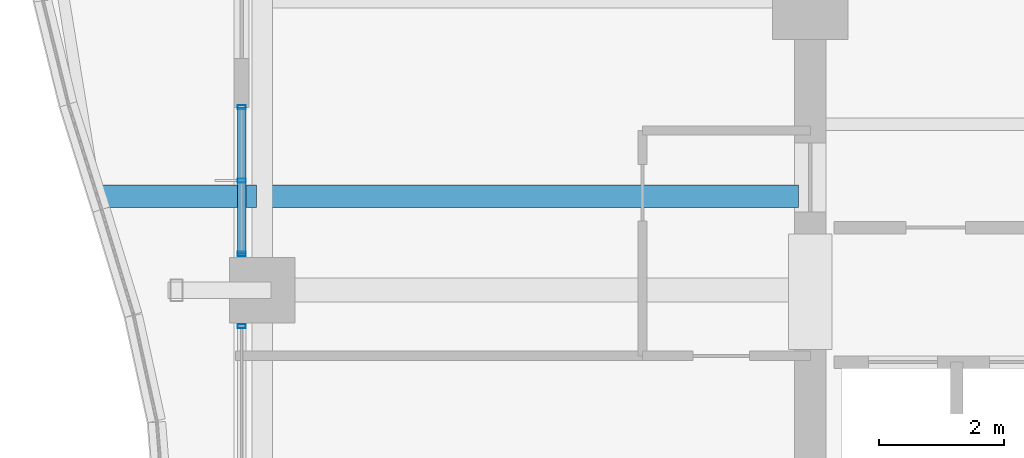
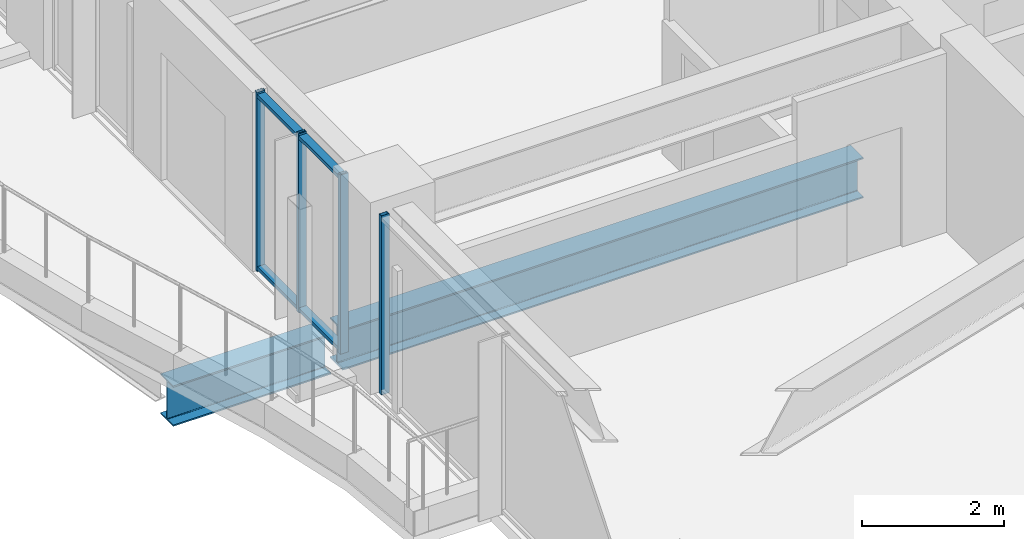
# One storey, part 8 of 38: 6 members, 2 beams, 2 elements without a shape of their own.
"""IFC4 building model written with IfcOpenShell, lengths in metres."""

from ifc_helpers import new_model, si_unit, direction, frame, origin, origin_2d, place, context, subcontext, project, spatial, hollow_rectangle, i_section, extrude, material, material_profile, profile_set, type_object, element, aggregate, save


model = new_model("IFC4")

# Units and contexts
model_context = context("Model", 3, precision=1e-05, world=origin(), true_north=direction((0.0, 1.0)))
body_context = subcontext(model_context, "Body", "Model", "MODEL_VIEW")
ifc_project = project(units=[si_unit("LENGTHUNIT", "METRE"), si_unit("AREAUNIT", "SQUARE_METRE"), si_unit("VOLUMEUNIT", "CUBIC_METRE"), si_unit("PLANEANGLEUNIT", "RADIAN"), si_unit("MASSUNIT", "GRAM", prefix="KILO")], contexts=[model_context])

# Site, building, storey
site_placement = place(None, origin())
site = spatial("IfcSite", under=ifc_project, at=site_placement, CompositionType="ELEMENT")
building_placement = place(site_placement, origin())
building = spatial("IfcBuilding", under=site, at=building_placement, Name="Kolvaren Belvedere", CompositionType="ELEMENT")
storey_placement = place(building_placement, frame((0.0, 0.0, 121.699951171875)))
storey = spatial("IfcBuildingStorey", under=building, at=storey_placement, Name="L35", CompositionType="ELEMENT", Elevation=121.699951171875)

# Beams
ifc_material_1 = material(Name="Structural steel ASTM A992 Grade 50", Category="steel")
ifc_material_profile_1 = material_profile(ifc_material_1, i_section(OverallWidth=0.35498046875, OverallDepth=0.696044921875, WebThickness=0.015380859375, FlangeThickness=0.02490234375, FilletRadius=0.02197265625, at=origin_2d()), Name="W27X146")
ifc_profile_set_1 = profile_set([ifc_material_profile_1], Name="Structural steel ASTM A992 Grade 50")
beam_type_1 = type_object("IfcBeamType", Name="BM-CANT-BAL", PredefinedType="BEAM", material=ifc_profile_set_1)
beam_1_placement = place(storey_placement, frame((-18.7451171875, -3.10009765625, -0.56787109375), z_axis=(-1.0, 0.0, 0.0), x_axis=(0.0, -1.0, 0.0)))
element("IfcBeam", 1, at=beam_1_placement, inside=storey, type_object=beam_type_1, Name="L35 Planted Balcony Cantilever BAL-W-1", PredefinedType="BEAM", context=body_context, shape_type="SweptSolid", body=[
    extrude(i_section(OverallWidth=0.35498046875, OverallDepth=0.696044921875, WebThickness=0.015380859375, FlangeThickness=0.02490234375, FilletRadius=0.02197265625, at=origin_2d()), origin(), (0.0, 0.0, 1.0), 2.568603515625),
])
ifc_material_2 = material(Name="Structural steel ASTM A992 Grade 50", Category="steel")
ifc_material_profile_2 = material_profile(ifc_material_2, i_section(OverallWidth=0.35498046875, OverallDepth=0.696044921875, WebThickness=0.015380859375, FlangeThickness=0.02490234375, FilletRadius=0.02197265625, at=origin_2d()), Name="W27X146")
ifc_profile_set_2 = profile_set([ifc_material_profile_2], Name="Structural steel ASTM A992 Grade 50")
beam_type_2 = type_object("IfcBeamType", Name="BM-GIRD-W27X146", PredefinedType="BEAM", material=ifc_profile_set_2)
beam_2_placement = place(storey_placement, frame((-10.090087890625, -3.10009765625, -0.56787109375), z_axis=(-1.0, 0.0, 0.0), x_axis=(0.0, -1.0, 0.0)))
element("IfcBeam", 2, at=beam_2_placement, inside=storey, type_object=beam_type_2, Name="L35 Balcony Interior Back-Span Girder BAL-W-1", PredefinedType="BEAM", context=body_context, shape_type="SweptSolid", body=[
    extrude(i_section(OverallWidth=0.35498046875, OverallDepth=0.696044921875, WebThickness=0.015380859375, FlangeThickness=0.02490234375, FilletRadius=0.02197265625, at=origin_2d()), origin(), (0.0, 0.0, 1.0), 8.46484375),
])

# Curtain wall, member
ifc_material_3 = material(Name="Anodised pale-metal aluminium AA 6063-T6", Category="aluminium")
curtain_wall_type = type_object("IfcCurtainWallType", Name="CW-Z3-WAIST", PredefinedType="NOTDEFINED", material=ifc_material_3)
curtain_wall_1_placement = place(storey_placement, origin())
curtain_wall_1 = element("IfcCurtainWall", 3, at=curtain_wall_1_placement, inside=storey, type_object=curtain_wall_type, Name="L35 Unitised Curtain Wall FCW-L35-W1-B1", PredefinedType="NOTDEFINED")
ifc_material_4 = material(Name="Anodised pale-metal aluminium AA 6063-T6", Category="aluminium")
ifc_material_profile_3 = material_profile(ifc_material_4, hollow_rectangle(XDim=0.06494140625, YDim=0.1298828125, WallThickness=0.00390625, at=origin_2d()), Name="ALU-MUL-130X65")
ifc_profile_set_3 = profile_set([ifc_material_profile_3], Name="Anodised pale-metal aluminium AA 6063-T6")
member_type_1 = type_object("IfcMemberType", Name="CW-MUL-130", PredefinedType="MULLION", material=ifc_profile_set_3)
member_1_placement = place(storey_placement, frame((-18.97998046875, -5.177490234375, 0.0), z_axis=(0.0, 0.0, 1.0), x_axis=(0.0, 1.0, 0.0)))
member_1 = element("IfcMember", 4, at=member_1_placement, type_object=member_type_1, Name="FCW-L35-W1-B1 Unitised Mullion 3", PredefinedType="MULLION", context=body_context, shape_type="SweptSolid", body=[
    extrude(hollow_rectangle(XDim=0.06494140625, YDim=0.1298828125, WallThickness=0.00390625, at=origin_2d()), origin(), (0.0, 0.0, 1.0), 3.080078125),
])
aggregate(curtain_wall_1, [member_1])

# Curtain wall, members
curtain_wall_2_placement = place(storey_placement, origin())
curtain_wall_2 = element("IfcCurtainWall", 5, at=curtain_wall_2_placement, inside=storey, type_object=curtain_wall_type, Name="L35 Unitised Curtain Wall FCW-L35-W1-B2", PredefinedType="NOTDEFINED")
member_2_placement = place(storey_placement, frame((-18.97998046875, -4.0224609375, 0.0), z_axis=(0.0, 0.0, 1.0), x_axis=(0.0, 1.0, 0.0)))
member_2 = element("IfcMember", 6, at=member_2_placement, type_object=member_type_1, Name="FCW-L35-W1-B2 Unitised Mullion 1", PredefinedType="MULLION", context=body_context, shape_type="SweptSolid", body=[
    extrude(hollow_rectangle(XDim=0.06494140625, YDim=0.1298828125, WallThickness=0.00390625, at=origin_2d()), origin(), (0.0, 0.0, 1.0), 3.080078125),
])
member_3_placement = place(storey_placement, frame((-18.97998046875, -2.851318359375, 0.0), z_axis=(0.0, 0.0, 1.0), x_axis=(0.0, 1.0, 0.0)))
member_3 = element("IfcMember", 7, at=member_3_placement, type_object=member_type_1, Name="FCW-L35-W1-B2 Unitised Mullion 2", PredefinedType="MULLION", context=body_context, shape_type="SweptSolid", body=[
    extrude(hollow_rectangle(XDim=0.06494140625, YDim=0.1298828125, WallThickness=0.00390625, at=origin_2d()), origin(), (0.0, 0.0, 1.0), 3.080078125),
])
member_4_placement = place(storey_placement, frame((-18.97998046875, -1.679931640625, 0.0), z_axis=(0.0, 0.0, 1.0), x_axis=(0.0, 1.0, 0.0)))
member_4 = element("IfcMember", 8, at=member_4_placement, type_object=member_type_1, Name="FCW-L35-W1-B2 Unitised Mullion 3", PredefinedType="MULLION", context=body_context, shape_type="SweptSolid", body=[
    extrude(hollow_rectangle(XDim=0.06494140625, YDim=0.1298828125, WallThickness=0.00390625, at=origin_2d()), origin(), (0.0, 0.0, 1.0), 3.080078125),
])
ifc_material_5 = material(Name="Anodised pale-metal aluminium AA 6063-T6", Category="aluminium")
ifc_material_profile_4 = material_profile(ifc_material_5, hollow_rectangle(XDim=0.06005859375, YDim=0.1298828125, WallThickness=0.00390625, at=origin_2d()), Name="ALU-TRN-130X60")
ifc_profile_set_4 = profile_set([ifc_material_profile_4], Name="Anodised pale-metal aluminium AA 6063-T6")
member_type_2 = type_object("IfcMemberType", Name="CW-TRN-130", PredefinedType="USERDEFINED", material=ifc_profile_set_4)
member_5_placement = place(storey_placement, frame((-18.97998046875, -4.0224609375, 0.06005859375), z_axis=(0.0, 1.0, 0.0), x_axis=(0.0, 0.0, 1.0)))
member_5 = element("IfcMember", 9, at=member_5_placement, type_object=member_type_2, Name="FCW-L35-W1-B2 Sill Transom", ObjectType="TRANSOM", PredefinedType="USERDEFINED", context=body_context, shape_type="SweptSolid", body=[
    extrude(hollow_rectangle(XDim=0.06005859375, YDim=0.1298828125, WallThickness=0.00390625, at=origin_2d()), origin(), (0.0, 0.0, 1.0), 2.342529296875),
])
member_6_placement = place(storey_placement, frame((-18.97998046875, -4.0224609375, 3.02001953125), z_axis=(0.0, 1.0, 0.0), x_axis=(0.0, 0.0, 1.0)))
member_6 = element("IfcMember", 10, at=member_6_placement, type_object=member_type_2, Name="FCW-L35-W1-B2 Head Transom", ObjectType="TRANSOM", PredefinedType="USERDEFINED", context=body_context, shape_type="SweptSolid", body=[
    extrude(hollow_rectangle(XDim=0.06005859375, YDim=0.1298828125, WallThickness=0.00390625, at=origin_2d()), origin(), (0.0, 0.0, 1.0), 2.342529296875),
])
aggregate(curtain_wall_2, [member_2, member_3, member_4, member_5, member_6])

save(model, "model.ifc")
